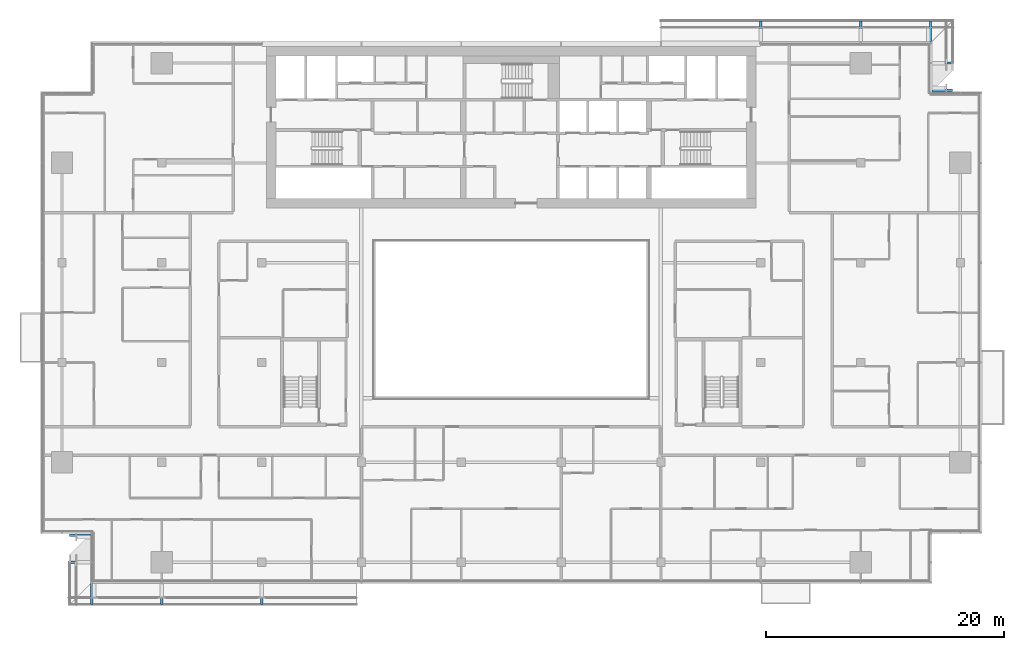
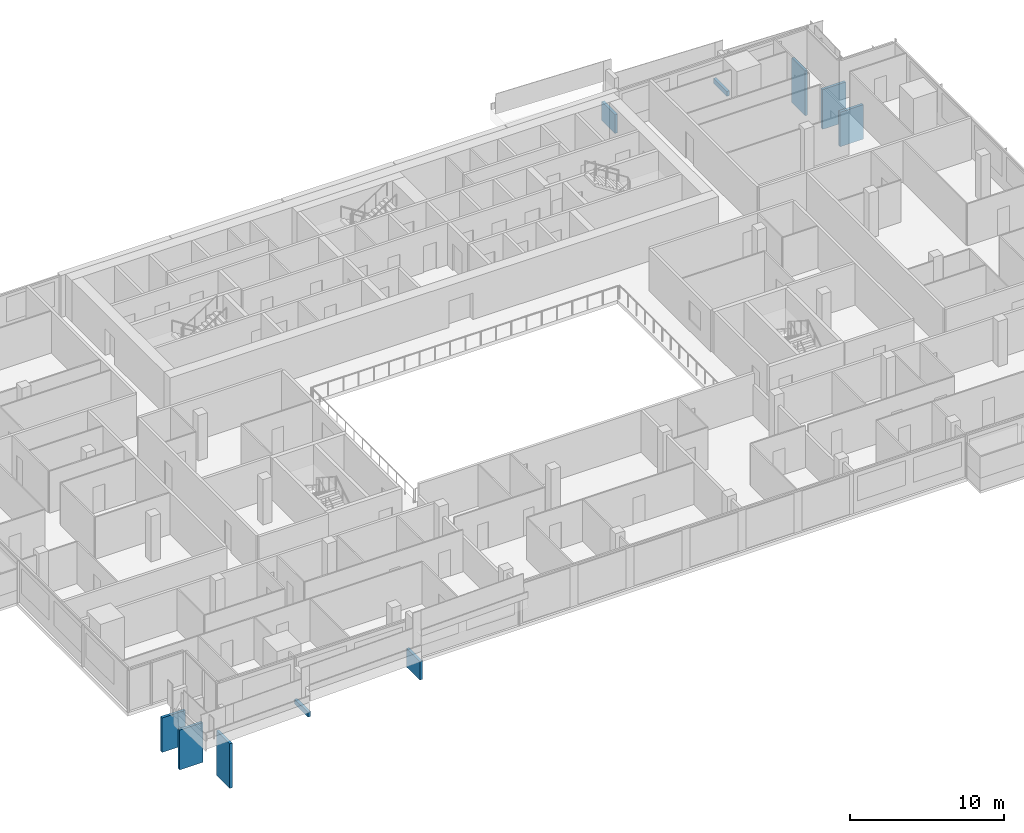
# One storey, part 25 of 30: 10 discrete accessories.
"""IFC4 building model written with IfcOpenShell, lengths in metres."""

from ifc_helpers import new_model, si_unit, direction, frame, origin, origin_2d, place, context, subcontext, project, spatial, rectangle, extrude, element, save


model = new_model("IFC4")

# Units and contexts
model_context = context("Model", 3, precision=1e-05, world=origin(), true_north=direction((0.0, 1.0)))
body_context = subcontext(model_context, "Body", "Model", "MODEL_VIEW")
ifc_project = project(units=[si_unit("LENGTHUNIT", "METRE"), si_unit("AREAUNIT", "SQUARE_METRE"), si_unit("VOLUMEUNIT", "CUBIC_METRE"), si_unit("PLANEANGLEUNIT", "RADIAN"), si_unit("MASSUNIT", "GRAM", prefix="KILO")], contexts=[model_context])

# Site, building, storey
site_placement = place(None, origin())
site = spatial("IfcSite", under=ifc_project, at=site_placement, CompositionType="ELEMENT")
building_placement = place(site_placement, origin())
building = spatial("IfcBuilding", under=site, at=building_placement, Name="Saffron Gate Tower", CompositionType="ELEMENT")
storey_placement = place(building_placement, frame((0.0, 0.0, 169.050048828125)))
storey = spatial("IfcBuildingStorey", under=building, at=storey_placement, Name="L41", CompositionType="ELEMENT", Elevation=169.050048828125)

# Discrete accessories
discrete_accessory_1_placement = place(storey_placement, frame((123.875, 71.52001953125, -3.8798828125), z_axis=(0.0, 0.0, 1.0), x_axis=(0.0, 1.0, 0.0)))
element("IfcDiscreteAccessory", 1, at=discrete_accessory_1_placement, inside=storey, Name="LEDGE rib", PredefinedType="BRACKET", context=body_context, shape_type="SweptSolid", body=[
    extrude(rectangle(XDim=0.199951171875, YDim=1.75, at=origin_2d()), origin(), (0.0, 0.0, 1.0), 2.744873046875),
])
discrete_accessory_2_placement = place(storey_placement, frame((123.875, 73.800048828125, -3.8798828125), z_axis=(0.0, 0.0, 1.0), x_axis=(0.0, 1.0, 0.0)))
element("IfcDiscreteAccessory", 2, at=discrete_accessory_2_placement, inside=storey, Name="LEDGE rib", PredefinedType="BRACKET", context=body_context, shape_type="SweptSolid", body=[
    extrude(rectangle(XDim=0.199951171875, YDim=1.75, at=origin_2d()), origin(), (0.0, 0.0, 1.0), 3.156982421875),
])
discrete_accessory_3_placement = place(storey_placement, frame((122.8798828125, 76.47509765625, -3.880126953125), z_axis=(0.0, 0.0, 1.0), x_axis=(-1.0, 0.0, 0.0)))
element("IfcDiscreteAccessory", 3, at=discrete_accessory_3_placement, inside=storey, Name="LEDGE rib", PredefinedType="BRACKET", context=body_context, shape_type="SweptSolid", body=[
    extrude(rectangle(XDim=0.199951171875, YDim=1.75, at=origin_2d()), origin(), (0.0, 0.0, 1.0), 3.5517578125),
])
discrete_accessory_4_placement = place(storey_placement, frame((117.0, 76.47509765625, -0.280029296875), z_axis=(0.0, 0.0, 1.0), x_axis=(-1.0, 0.0, 0.0)))
element("IfcDiscreteAccessory", 4, at=discrete_accessory_4_placement, inside=storey, Name="LEDGE rib", PredefinedType="BRACKET", context=body_context, shape_type="SweptSolid", body=[
    extrude(rectangle(XDim=0.199951171875, YDim=1.75, at=origin_2d()), origin(), (0.0, 0.0, 1.0), 0.3818359375),
])
discrete_accessory_5_placement = place(storey_placement, frame((108.60009765625, 76.47509765625, -0.2802734375), z_axis=(0.0, 0.0, 1.0), x_axis=(-1.0, 0.0, 0.0)))
element("IfcDiscreteAccessory", 5, at=discrete_accessory_5_placement, inside=storey, Name="LEDGE rib", PredefinedType="BRACKET", context=body_context, shape_type="SweptSolid", body=[
    extrude(rectangle(XDim=0.199951171875, YDim=1.75, at=origin_2d()), origin(), (0.0, 0.0, 1.0), 1.481201171875),
])
discrete_accessory_6_placement = place(storey_placement, frame((51.324951171875, 34.080078125, -3.8798828125), z_axis=(0.0, 0.0, 1.0), x_axis=(0.0, -1.0, 0.0)))
element("IfcDiscreteAccessory", 6, at=discrete_accessory_6_placement, inside=storey, Name="LEDGE rib", PredefinedType="BRACKET", context=body_context, shape_type="SweptSolid", body=[
    extrude(rectangle(XDim=0.199951171875, YDim=1.75, at=origin_2d()), origin(), (0.0, 0.0, 1.0), 2.744873046875),
])
discrete_accessory_7_placement = place(storey_placement, frame((51.324951171875, 31.800048828125, -3.8798828125), z_axis=(0.0, 0.0, 1.0), x_axis=(0.0, -1.0, 0.0)))
element("IfcDiscreteAccessory", 7, at=discrete_accessory_7_placement, inside=storey, Name="LEDGE rib", PredefinedType="BRACKET", context=body_context, shape_type="SweptSolid", body=[
    extrude(rectangle(XDim=0.199951171875, YDim=1.75, at=origin_2d()), origin(), (0.0, 0.0, 1.0), 3.156982421875),
])
discrete_accessory_8_placement = place(storey_placement, frame((52.320068359375, 29.125, -3.880126953125), z_axis=(0.0, 0.0, 1.0), x_axis=(1.0, 0.0, 0.0)))
element("IfcDiscreteAccessory", 8, at=discrete_accessory_8_placement, inside=storey, Name="LEDGE rib", PredefinedType="BRACKET", context=body_context, shape_type="SweptSolid", body=[
    extrude(rectangle(XDim=0.199951171875, YDim=1.75, at=origin_2d()), origin(), (0.0, 0.0, 1.0), 3.5517578125),
])
discrete_accessory_9_placement = place(storey_placement, frame((58.199951171875, 29.125, -0.280029296875), z_axis=(0.0, 0.0, 1.0), x_axis=(1.0, 0.0, 0.0)))
element("IfcDiscreteAccessory", 9, at=discrete_accessory_9_placement, inside=storey, Name="LEDGE rib", PredefinedType="BRACKET", context=body_context, shape_type="SweptSolid", body=[
    extrude(rectangle(XDim=0.199951171875, YDim=1.75, at=origin_2d()), origin(), (0.0, 0.0, 1.0), 0.3818359375),
])
discrete_accessory_10_placement = place(storey_placement, frame((66.60009765625, 29.125, -0.2802734375), z_axis=(0.0, 0.0, 1.0), x_axis=(1.0, 0.0, 0.0)))
element("IfcDiscreteAccessory", 10, at=discrete_accessory_10_placement, inside=storey, Name="LEDGE rib", PredefinedType="BRACKET", context=body_context, shape_type="SweptSolid", body=[
    extrude(rectangle(XDim=0.199951171875, YDim=1.75, at=origin_2d()), origin(), (0.0, 0.0, 1.0), 1.481201171875),
])

save(model, "model.ifc")
